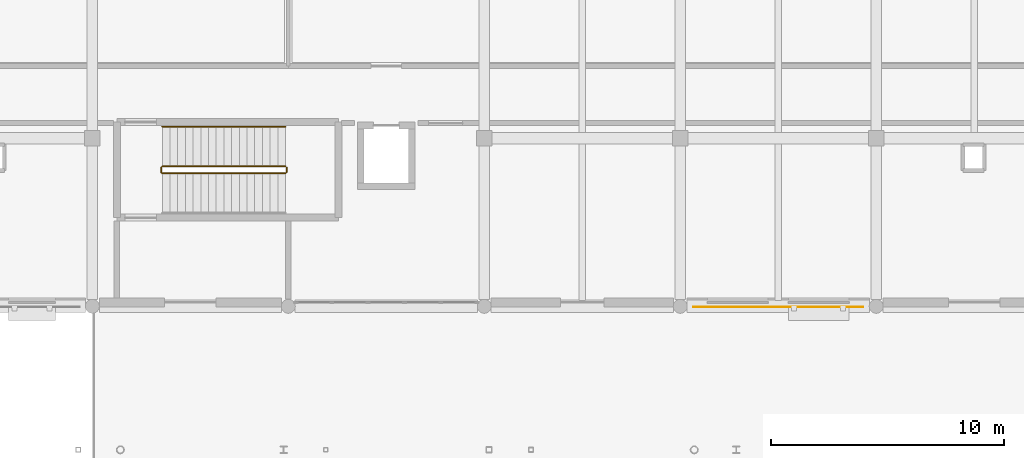
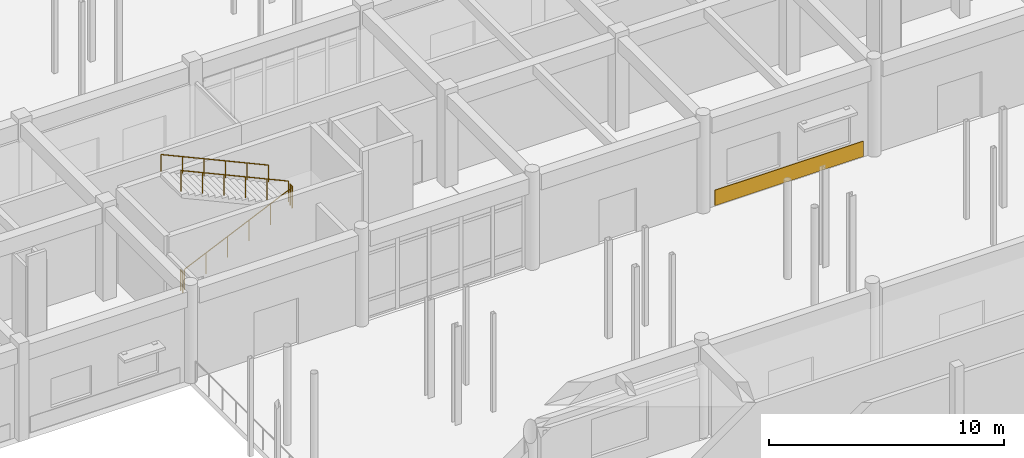
# One storey, part 101 of 121: 5 railings, 1 covering.
"""IFC4 building model written with IfcOpenShell, lengths in metres."""

from ifc_helpers import new_model, si_unit, direction, frame, origin, origin_2d, place, context, subcontext, project, spatial, polyline, circle, outline, extrude, material, layer, layer_set, type_object, element, save


model = new_model("IFC4")

# Units and contexts
model_context = context("Model", 3, precision=1e-05, world=origin(), true_north=direction((0.0, 1.0)))
body_context = subcontext(model_context, "Body", "Model", "MODEL_VIEW")
ifc_project = project(units=[si_unit("LENGTHUNIT", "METRE"), si_unit("AREAUNIT", "SQUARE_METRE"), si_unit("VOLUMEUNIT", "CUBIC_METRE"), si_unit("PLANEANGLEUNIT", "RADIAN"), si_unit("MASSUNIT", "GRAM", prefix="KILO")], contexts=[model_context])

# Site, building, storey
site_placement = place(None, origin())
site = spatial("IfcSite", under=ifc_project, at=site_placement, CompositionType="ELEMENT")
building_placement = place(site_placement, origin())
building = spatial("IfcBuilding", under=site, at=building_placement, Name="Malvenik Polytechnic", CompositionType="ELEMENT")
storey_placement = place(building_placement, origin())
storey = spatial("IfcBuildingStorey", under=building, at=storey_placement, Name="L00", CompositionType="ELEMENT", Elevation=0.0)

# Covering
ifc_material_1 = material(Name="Glazed ochre architectural terracotta rainscreen tile 35mm", Category="masonry")
ifc_layer_1 = layer(ifc_material_1, 0.034912109375)
ifc_layer_set_1 = layer_set([ifc_layer_1], Name="Glazed ochre architectural terracotta rainscreen tile 35mm")
covering_type = type_object("IfcCoveringType", Name="ARC-COV-CLAD-TERR", PredefinedType="CLADDING", material=ifc_layer_set_1)
covering_placement = place(storey_placement, frame((0.0, 0.0, 0.050048828125)))
element("IfcCovering", 1, at=covering_placement, inside=storey, type_object=covering_type, Name="Stone Rainscreen Band CL-02 L00 #16", PredefinedType="CLADDING", context=body_context, shape_type="SweptSolid", body=[
    extrude(outline(polyline([(66.652099609375, 50.384033203125), (59.347900390625, 50.384033203125), (59.347900390625, 50.34912109375), (66.652099609375, 50.34912109375), (66.652099609375, 50.384033203125)])), origin(), (0.0, 0.0, 1.0), 0.800048828125),
])

# Railings
ifc_material_2 = material(Name="Painted galvanised steel stair well balustrade 1100mm", Category="steel")
ifc_layer_2 = layer(ifc_material_2, 0.050048828125)
ifc_layer_set_2 = layer_set([ifc_layer_2], Name="Painted galvanised steel stair well balustrade 1100mm")
railing_type_1 = type_object("IfcRailingType", Name="ARC-RL-STGD", PredefinedType="BALUSTRADE", material=ifc_layer_set_2)
railing_1_placement = place(storey_placement, frame((36.60009765625, 56.10009765625, 0.14990234375)))
element("IfcRailing", 2, at=railing_1_placement, inside=storey, type_object=railing_type_1, Name="L00 ST-06 stair guard 1", PredefinedType="BALUSTRADE", context=body_context, shape_type="SweptSolid", body=[
    extrude(circle(Radius=0.02392578125, at=origin_2d()), frame((0.0, 0.0, 1.076171875), z_axis=(0.910350619016, 0.0, 0.413837831108), x_axis=(0.0, 1.0, 0.0)), (0.0, 0.0, 1.0), 5.7998046875),
    extrude(circle(Radius=0.02099609375, at=origin_2d()), origin(), (0.0, 0.0, 1.0), 1.052001953125),
    extrude(circle(Radius=0.02099609375, at=origin_2d()), frame((1.055908203125, 0.0, 0.47998046875)), (0.0, 0.0, 1.0), 1.052001953125),
    extrude(circle(Radius=0.02099609375, at=origin_2d()), frame((2.11181640625, 0.0, 0.9599609375)), (0.0, 0.0, 1.0), 1.052001953125),
    extrude(circle(Radius=0.02099609375, at=origin_2d()), frame((3.16796875, 0.0, 1.440185546875)), (0.0, 0.0, 1.0), 1.052001953125),
    extrude(circle(Radius=0.02099609375, at=origin_2d()), frame((4.223876953125, 0.0, 1.920166015625)), (0.0, 0.0, 1.0), 1.052001953125),
    extrude(circle(Radius=0.02099609375, at=origin_2d()), frame((5.27978515625, 0.0, 2.400146484375)), (0.0, 0.0, 1.0), 1.052001953125),
])
railing_2_placement = place(storey_placement, frame((41.929931640625, 56.14990234375, 2.550048828125)))
element("IfcRailing", 3, at=railing_2_placement, inside=storey, type_object=railing_type_1, Name="L00 ST-06 stair guard 2", PredefinedType="BALUSTRADE", context=body_context, shape_type="SweptSolid", body=[
    extrude(circle(Radius=0.02392578125, at=origin_2d()), frame((0.0, 0.0, 1.076171875), z_axis=(0.0, 1.0, 0.0), x_axis=(-1.0, 0.0, 0.0)), (0.0, 0.0, 1.0), 0.2001953125),
    extrude(circle(Radius=0.02099609375, at=origin_2d()), origin(), (0.0, 0.0, 1.0), 1.052001953125),
    extrude(circle(Radius=0.02099609375, at=origin_2d()), frame((0.0, 0.2001953125, 0.0)), (0.0, 0.0, 1.0), 1.052001953125),
])
railing_3_placement = place(storey_placement, frame((41.8798828125, 56.39990234375, 2.699951171875)))
element("IfcRailing", 4, at=railing_3_placement, inside=storey, type_object=railing_type_1, Name="L00 ST-06 stair guard 3", PredefinedType="BALUSTRADE", context=body_context, shape_type="SweptSolid", body=[
    extrude(circle(Radius=0.02392578125, at=origin_2d()), frame((0.0, 0.0, 1.076171875), z_axis=(-0.910350619016, 0.0, 0.413837831108), x_axis=(0.0, -1.0, 0.0)), (0.0, 0.0, 1.0), 5.7998046875),
    extrude(circle(Radius=0.02099609375, at=origin_2d()), origin(), (0.0, 0.0, 1.0), 1.052001953125),
    extrude(circle(Radius=0.02099609375, at=origin_2d()), frame((-1.055908203125, 0.0, 0.47998046875)), (0.0, 0.0, 1.0), 1.052001953125),
    extrude(circle(Radius=0.02099609375, at=origin_2d()), frame((-2.11181640625, 0.0, 0.9599609375)), (0.0, 0.0, 1.0), 1.052001953125),
    extrude(circle(Radius=0.02099609375, at=origin_2d()), frame((-3.16796875, 0.0, 1.440185546875)), (0.0, 0.0, 1.0), 1.052001953125),
    extrude(circle(Radius=0.02099609375, at=origin_2d()), frame((-4.223876953125, 0.0, 1.920166015625)), (0.0, 0.0, 1.0), 1.052001953125),
    extrude(circle(Radius=0.02099609375, at=origin_2d()), frame((-5.27978515625, 0.0, 2.400146484375)), (0.0, 0.0, 1.0), 1.052001953125),
])
railing_4_placement = place(storey_placement, frame((36.550048828125, 56.14990234375, 0.0)))
element("IfcRailing", 5, at=railing_4_placement, inside=storey, type_object=railing_type_1, Name="L00 ST-06 stair guard 4", PredefinedType="BALUSTRADE", context=body_context, shape_type="SweptSolid", body=[
    extrude(circle(Radius=0.02392578125, at=origin_2d()), frame((0.0, 0.0, 1.076171875), z_axis=(0.0, 1.0, 0.0), x_axis=(-1.0, 0.0, 0.0)), (0.0, 0.0, 1.0), 0.2001953125),
    extrude(circle(Radius=0.02099609375, at=origin_2d()), origin(), (0.0, 0.0, 1.0), 1.052001953125),
    extrude(circle(Radius=0.02099609375, at=origin_2d()), frame((0.0, 0.2001953125, 0.0)), (0.0, 0.0, 1.0), 1.052001953125),
])
ifc_material_3 = material(Name="Brushed stainless steel 1.4301 stair wall handrail", Category="steel")
ifc_layer_3 = layer(ifc_material_3, 0.044921875)
ifc_layer_set_3 = layer_set([ifc_layer_3], Name="Brushed stainless steel 1.4301 stair wall handrail")
railing_type_2 = type_object("IfcRailingType", Name="ARC-RL-STHR", PredefinedType="HANDRAIL", material=ifc_layer_set_3)
railing_5_placement = place(storey_placement, frame((41.8798828125, 58.10009765625, 2.699951171875)))
element("IfcRailing", 6, at=railing_5_placement, inside=storey, type_object=railing_type_2, Name="L00 ST-06 stair handrail 2", PredefinedType="HANDRAIL", context=body_context, shape_type="SweptSolid", body=[
    extrude(circle(Radius=0.02392578125, at=origin_2d()), frame((0.0, 0.0, 0.8759765625), z_axis=(-0.910350619016, 0.0, 0.413837831108), x_axis=(0.0, -1.0, 0.0)), (0.0, 0.0, 1.0), 5.7998046875),
    extrude(circle(Radius=0.02099609375, at=origin_2d()), origin(), (0.0, 0.0, 1.0), 0.851806640625),
    extrude(circle(Radius=0.02099609375, at=origin_2d()), frame((-1.055908203125, 0.0, 0.47998046875)), (0.0, 0.0, 1.0), 0.851806640625),
    extrude(circle(Radius=0.02099609375, at=origin_2d()), frame((-2.11181640625, 0.0, 0.9599609375)), (0.0, 0.0, 1.0), 0.851806640625),
    extrude(circle(Radius=0.02099609375, at=origin_2d()), frame((-3.16796875, 0.0, 1.440185546875)), (0.0, 0.0, 1.0), 0.851806640625),
    extrude(circle(Radius=0.02099609375, at=origin_2d()), frame((-4.223876953125, 0.0, 1.920166015625)), (0.0, 0.0, 1.0), 0.851806640625),
    extrude(circle(Radius=0.02099609375, at=origin_2d()), frame((-5.27978515625, 0.0, 2.400146484375)), (0.0, 0.0, 1.0), 0.851806640625),
])

save(model, "model.ifc")
